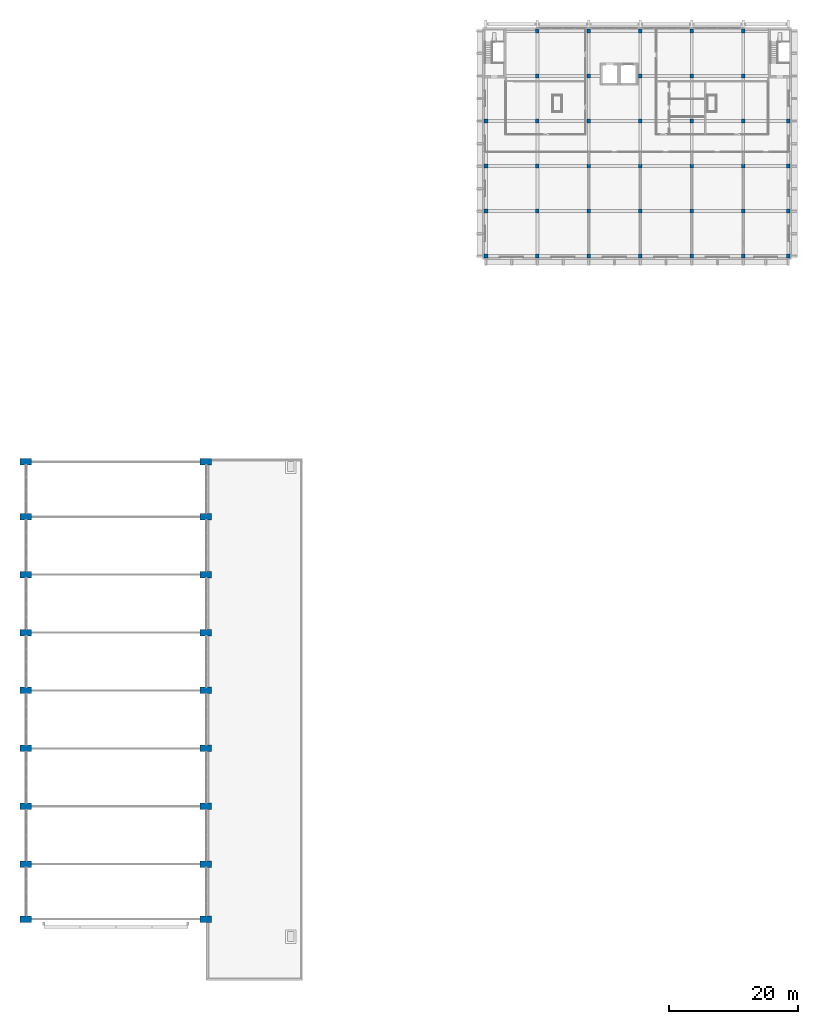
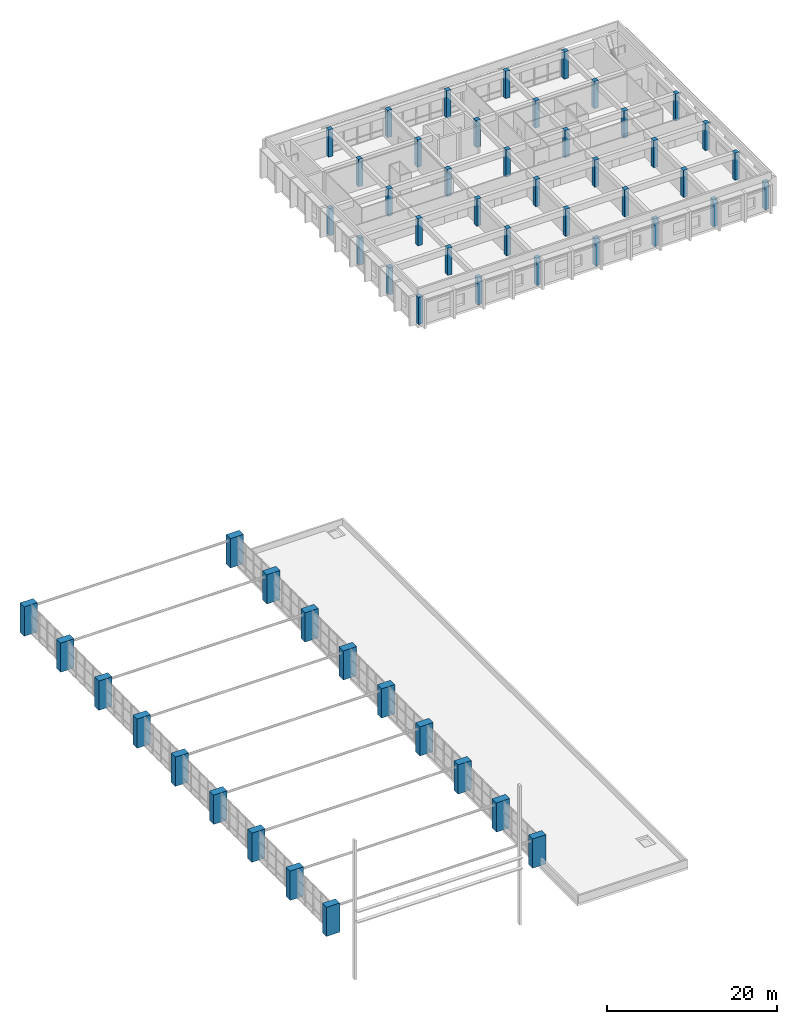
# One storey, part 1 of 21: 56 columns.
"""IFC4 building model written with IfcOpenShell, lengths in metres."""

from ifc_helpers import new_model, si_unit, direction, frame, origin, origin_2d, place, context, subcontext, project, spatial, rectangle, extrude, material, material_profile, profile_set, type_object, element, save


model = new_model("IFC4")

# Units and contexts
model_context = context("Model", 3, precision=1e-05, world=origin(), true_north=direction((0.0, 1.0)))
body_context = subcontext(model_context, "Body", "Model", "MODEL_VIEW")
ifc_project = project(units=[si_unit("LENGTHUNIT", "METRE"), si_unit("AREAUNIT", "SQUARE_METRE"), si_unit("VOLUMEUNIT", "CUBIC_METRE"), si_unit("PLANEANGLEUNIT", "RADIAN"), si_unit("MASSUNIT", "GRAM", prefix="KILO")], contexts=[model_context])

# Site, building, storey
site_placement = place(None, origin())
site = spatial("IfcSite", under=ifc_project, at=site_placement, CompositionType="ELEMENT")
building_placement = place(site_placement, origin())
building = spatial("IfcBuilding", under=site, at=building_placement, Name="Elmora Arch Market Hall", CompositionType="ELEMENT")
storey_placement = place(building_placement, frame((0.0, 0.0, 14.39990234375)))
storey = spatial("IfcBuildingStorey", under=building, at=storey_placement, Name="L03", CompositionType="ELEMENT", Elevation=14.39990234375)

# Columns
ifc_material_1 = material(Name="Concrete C40/50", Category="concrete")
ifc_material_profile_1 = material_profile(ifc_material_1, rectangle(XDim=1.800048828125, YDim=1.0, at=origin_2d()), Name="Hall pier")
ifc_profile_set_1 = profile_set([ifc_material_profile_1], Name="Concrete C40/50")
column_type_1 = type_object("IfcColumnType", Name="Hall pier", PredefinedType="COLUMN", material=ifc_profile_set_1)
for number, where, z_axis, x_axis, name in (
    (1, (15.0, 27.449951171875, 0.0), (0.0, 0.0, 1.0), (1.0, 0.0, 0.0), "Hall pier 01W L03"),
    (2, (43.0, 27.449951171875, 0.0), (0.0, 0.0, 1.0), (1.0, 0.0, 0.0), "Hall pier 01E L03"),
    (3, (15.0, 36.0, 0.0), (0.0, 0.0, 1.0), (1.0, 0.0, 0.0), "Hall pier 02W L03"),
    (4, (43.0, 36.0, 0.0), (0.0, 0.0, 1.0), (1.0, 0.0, 0.0), "Hall pier 02E L03"),
    (5, (15.0, 45.0, 0.0), (0.0, 0.0, 1.0), (1.0, 0.0, 0.0), "Hall pier 03W L03"),
    (6, (43.0, 45.0, 0.0), (0.0, 0.0, 1.0), (1.0, 0.0, 0.0), "Hall pier 03E L03"),
    (7, (15.0, 54.0, 0.0), (0.0, 0.0, 1.0), (1.0, 0.0, 0.0), "Hall pier 04W L03"),
    (8, (43.0, 54.0, 0.0), (0.0, 0.0, 1.0), (1.0, 0.0, 0.0), "Hall pier 04E L03"),
    (9, (15.0, 63.0, 0.0), (0.0, 0.0, 1.0), (1.0, 0.0, 0.0), "Hall pier 05W L03"),
    (10, (43.0, 63.0, 0.0), (0.0, 0.0, 1.0), (1.0, 0.0, 0.0), "Hall pier 05E L03"),
    (11, (15.0, 72.0, 0.0), (0.0, 0.0, 1.0), (1.0, 0.0, 0.0), "Hall pier 06W L03"),
    (12, (43.0, 72.0, 0.0), (0.0, 0.0, 1.0), (1.0, 0.0, 0.0), "Hall pier 06E L03"),
    (13, (15.0, 81.0, 0.0), (0.0, 0.0, 1.0), (1.0, 0.0, 0.0), "Hall pier 07W L03"),
    (14, (43.0, 81.0, 0.0), (0.0, 0.0, 1.0), (1.0, 0.0, 0.0), "Hall pier 07E L03"),
    (15, (15.0, 90.0, 0.0), (0.0, 0.0, 1.0), (1.0, 0.0, 0.0), "Hall pier 08W L03"),
    (16, (43.0, 90.0, 0.0), (0.0, 0.0, 1.0), (1.0, 0.0, 0.0), "Hall pier 08E L03"),
    (17, (15.0, 98.550048828125, 0.0), (0.0, 0.0, 1.0), (1.0, 0.0, 0.0), "Hall pier 09W L03"),
    (18, (43.0, 98.550048828125, 0.0), (0.0, 0.0, 1.0), (1.0, 0.0, 0.0), "Hall pier 09E L03"),
):
    element("IfcColumn", number, at=place(storey_placement, frame(where, z_axis=z_axis, x_axis=x_axis)), inside=storey, type_object=column_type_1, Name=name, PredefinedType="COLUMN", context=body_context, shape_type="SweptSolid", body=[
        extrude(rectangle(XDim=1.800048828125, YDim=1.0, at=origin_2d()), origin(), (0.0, 0.0, 1.0), 4.2001953125),
    ])
ifc_material_2 = material(Name="Concrete C40/50", Category="concrete")
ifc_material_profile_2 = material_profile(ifc_material_2, rectangle(XDim=0.60009765625, YDim=0.60009765625, at=origin_2d()), Name="School column 600x600")
ifc_profile_set_2 = profile_set([ifc_material_profile_2], Name="Concrete C40/50")
column_type_2 = type_object("IfcColumnType", Name="School column 600x600", PredefinedType="COLUMN", material=ifc_profile_set_2)
for number, where, z_axis, x_axis, name in (
    (19, (86.5, 130.5, 0.0), (0.0, 0.0, 1.0), (1.0, 0.0, 0.0), "School column SC11 L03"),
    (20, (86.5, 137.5, 0.0), (0.0, 0.0, 1.0), (1.0, 0.0, 0.0), "School column SC12 L03"),
    (21, (86.5, 144.5, 0.0), (0.0, 0.0, 1.0), (1.0, 0.0, 0.0), "School column SC13 L03"),
    (22, (86.5, 151.5, 0.0), (0.0, 0.0, 1.0), (1.0, 0.0, 0.0), "School column SC14 L03"),
    (23, (94.5, 130.5, 0.0), (0.0, 0.0, 1.0), (1.0, 0.0, 0.0), "School column SC21 L03"),
    (24, (94.5, 137.5, 0.0), (0.0, 0.0, 1.0), (1.0, 0.0, 0.0), "School column SC22 L03"),
    (25, (94.5, 144.5, 0.0), (0.0, 0.0, 1.0), (1.0, 0.0, 0.0), "School column SC23 L03"),
    (26, (94.5, 151.5, 0.0), (0.0, 0.0, 1.0), (1.0, 0.0, 0.0), "School column SC24 L03"),
    (27, (94.5, 158.5, 0.0), (0.0, 0.0, 1.0), (1.0, 0.0, 0.0), "School column SC25 L03"),
    (28, (94.5, 165.5, 0.0), (0.0, 0.0, 1.0), (1.0, 0.0, 0.0), "School column SC26 L03"),
    (29, (102.5, 130.5, 0.0), (0.0, 0.0, 1.0), (1.0, 0.0, 0.0), "School column SC31 L03"),
    (30, (102.5, 137.5, 0.0), (0.0, 0.0, 1.0), (1.0, 0.0, 0.0), "School column SC32 L03"),
    (31, (102.5, 144.5, 0.0), (0.0, 0.0, 1.0), (1.0, 0.0, 0.0), "School column SC33 L03"),
    (32, (102.5, 151.5, 0.0), (0.0, 0.0, 1.0), (1.0, 0.0, 0.0), "School column SC34 L03"),
    (33, (102.5, 158.5, 0.0), (0.0, 0.0, 1.0), (1.0, 0.0, 0.0), "School column SC35 L03"),
    (34, (102.5, 165.5, 0.0), (0.0, 0.0, 1.0), (1.0, 0.0, 0.0), "School column SC36 L03"),
    (35, (110.5, 130.5, 0.0), (0.0, 0.0, 1.0), (1.0, 0.0, 0.0), "School column SC41 L03"),
    (36, (110.5, 137.5, 0.0), (0.0, 0.0, 1.0), (1.0, 0.0, 0.0), "School column SC42 L03"),
    (37, (110.5, 144.5, 0.0), (0.0, 0.0, 1.0), (1.0, 0.0, 0.0), "School column SC43 L03"),
    (38, (110.5, 151.5, 0.0), (0.0, 0.0, 1.0), (1.0, 0.0, 0.0), "School column SC44 L03"),
    (39, (110.5, 158.5, 0.0), (0.0, 0.0, 1.0), (1.0, 0.0, 0.0), "School column SC45 L03"),
    (40, (110.5, 165.5, 0.0), (0.0, 0.0, 1.0), (1.0, 0.0, 0.0), "School column SC46 L03"),
    (41, (118.5, 130.5, 0.0), (0.0, 0.0, 1.0), (1.0, 0.0, 0.0), "School column SC51 L03"),
    (42, (118.5, 137.5, 0.0), (0.0, 0.0, 1.0), (1.0, 0.0, 0.0), "School column SC52 L03"),
    (43, (118.5, 144.5, 0.0), (0.0, 0.0, 1.0), (1.0, 0.0, 0.0), "School column SC53 L03"),
    (44, (118.5, 151.5, 0.0), (0.0, 0.0, 1.0), (1.0, 0.0, 0.0), "School column SC54 L03"),
    (45, (118.5, 158.5, 0.0), (0.0, 0.0, 1.0), (1.0, 0.0, 0.0), "School column SC55 L03"),
    (46, (118.5, 165.5, 0.0), (0.0, 0.0, 1.0), (1.0, 0.0, 0.0), "School column SC56 L03"),
    (47, (126.5, 130.5, 0.0), (0.0, 0.0, 1.0), (1.0, 0.0, 0.0), "School column SC61 L03"),
    (48, (126.5, 137.5, 0.0), (0.0, 0.0, 1.0), (1.0, 0.0, 0.0), "School column SC62 L03"),
    (49, (126.5, 144.5, 0.0), (0.0, 0.0, 1.0), (1.0, 0.0, 0.0), "School column SC63 L03"),
    (50, (126.5, 151.5, 0.0), (0.0, 0.0, 1.0), (1.0, 0.0, 0.0), "School column SC64 L03"),
    (51, (126.5, 158.5, 0.0), (0.0, 0.0, 1.0), (1.0, 0.0, 0.0), "School column SC65 L03"),
    (52, (126.5, 165.5, 0.0), (0.0, 0.0, 1.0), (1.0, 0.0, 0.0), "School column SC66 L03"),
    (53, (133.5, 130.5, 0.0), (0.0, 0.0, 1.0), (1.0, 0.0, 0.0), "School column SC71 L03"),
    (54, (133.5, 137.5, 0.0), (0.0, 0.0, 1.0), (1.0, 0.0, 0.0), "School column SC72 L03"),
    (55, (133.5, 144.5, 0.0), (0.0, 0.0, 1.0), (1.0, 0.0, 0.0), "School column SC73 L03"),
    (56, (133.5, 151.5, 0.0), (0.0, 0.0, 1.0), (1.0, 0.0, 0.0), "School column SC74 L03"),
):
    element("IfcColumn", number, at=place(storey_placement, frame(where, z_axis=z_axis, x_axis=x_axis)), inside=storey, type_object=column_type_2, Name=name, PredefinedType="COLUMN", context=body_context, shape_type="SweptSolid", body=[
        extrude(rectangle(XDim=0.60009765625, YDim=0.60009765625, at=origin_2d()), origin(), (0.0, 0.0, 1.0), 3.900146484375),
    ])

save(model, "model.ifc")
